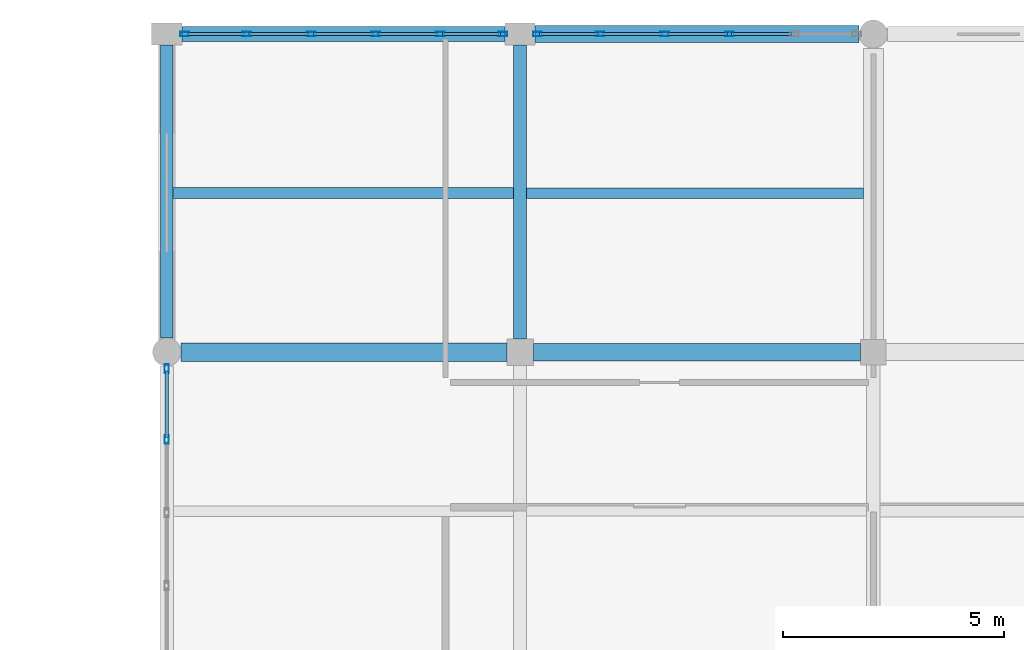
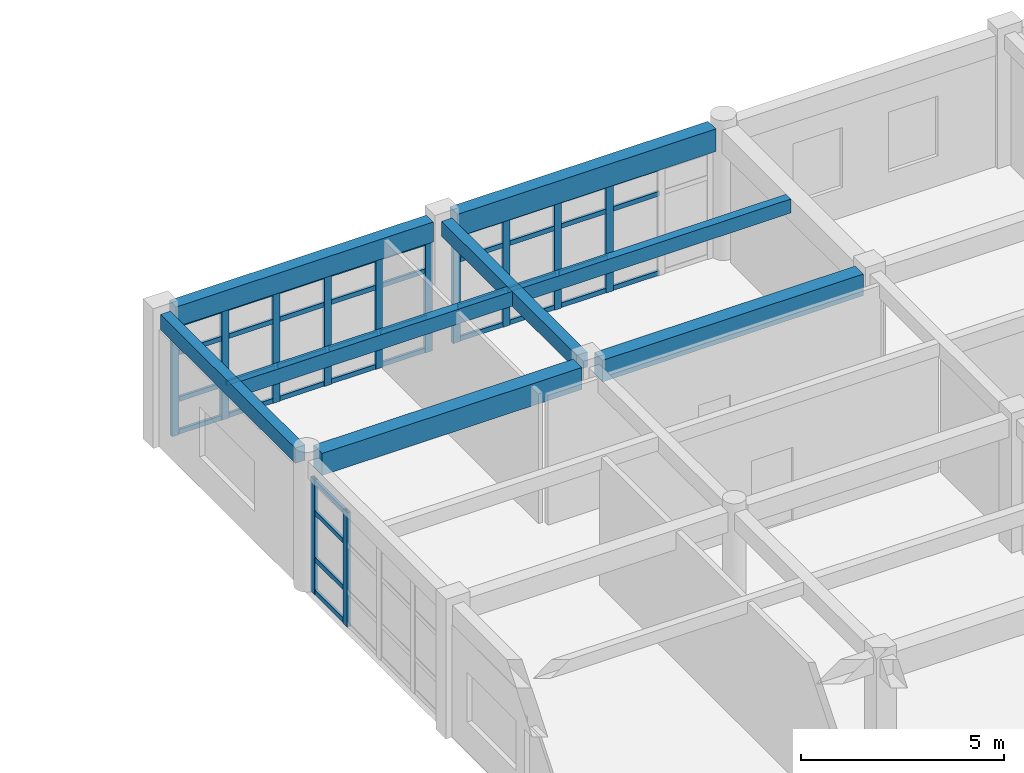
# One storey, part 58 of 121: 52 members, 8 beams, 3 elements without a shape of their own.
"""IFC4 building model written with IfcOpenShell, lengths in metres."""

from ifc_helpers import new_model, si_unit, direction, frame, origin, origin_2d, place, context, subcontext, project, spatial, rectangle, hollow_rectangle, extrude, material, material_profile, profile_set, type_object, element, aggregate, save


model = new_model("IFC4")

# Units and contexts
model_context = context("Model", 3, precision=1e-05, world=origin(), true_north=direction((0.0, 1.0)))
body_context = subcontext(model_context, "Body", "Model", "MODEL_VIEW")
ifc_project = project(units=[si_unit("LENGTHUNIT", "METRE"), si_unit("AREAUNIT", "SQUARE_METRE"), si_unit("VOLUMEUNIT", "CUBIC_METRE"), si_unit("PLANEANGLEUNIT", "RADIAN"), si_unit("MASSUNIT", "GRAM", prefix="KILO")], contexts=[model_context])

# Site, building, storey
site_placement = place(None, origin())
site = spatial("IfcSite", under=ifc_project, at=site_placement, CompositionType="ELEMENT")
building_placement = place(site_placement, origin())
building = spatial("IfcBuilding", under=site, at=building_placement, Name="Kharva Crest Polytechnic", CompositionType="ELEMENT")
storey_placement = place(building_placement, frame((0.0, 0.0, 13.199951171875)))
storey = spatial("IfcBuildingStorey", under=building, at=storey_placement, Name="L03", CompositionType="ELEMENT", Elevation=13.199951171875)

# Beams
ifc_material_1 = material(Name="Concrete C35/45", Category="concrete")
ifc_material_profile_1 = material_profile(ifc_material_1, rectangle(XDim=0.300048828125, YDim=0.449951171875, at=origin_2d()), Name="RECT 300 X 450")
ifc_profile_set_1 = profile_set([ifc_material_profile_1], Name="Concrete C35/45")
beam_type_1 = type_object("IfcBeamType", Name="BM-RC-300X450", PredefinedType="BEAM", material=ifc_profile_set_1)
beam_1_placement = place(storey_placement, frame((40.0, 115.10009765625, 3.735107421875), z_axis=(0.0, 1.0, 0.0), x_axis=(-1.0, 0.0, 0.0)))
element("IfcBeam", 1, at=beam_1_placement, inside=storey, type_object=beam_type_1, Name="L03 Girder 6/R-S", PredefinedType="BEAM", context=body_context, shape_type="SweptSolid", body=[
    extrude(rectangle(XDim=0.300048828125, YDim=0.449951171875, at=origin_2d()), origin(), (0.0, 0.0, 1.0), 6.64990234375),
])
ifc_material_profile_2 = material_profile(ifc_material_1, rectangle(XDim=0.39990234375, YDim=0.64990234375, at=origin_2d()), Name="RECT 400 X 650")
ifc_profile_set_2 = profile_set([ifc_material_profile_2], Name="Concrete C35/45")
beam_type_2 = type_object("IfcBeamType", Name="BM-RC-400X650", PredefinedType="BEAM", material=ifc_profile_set_2)
beam_2_placement = place(storey_placement, frame((40.300048828125, 114.800048828125, 3.635009765625), z_axis=(1.0, 0.0, 0.0), x_axis=(0.0, 1.0, 0.0)))
element("IfcBeam", 2, at=beam_2_placement, inside=storey, type_object=beam_type_2, Name="L03 Beam R/6-7", PredefinedType="BEAM", context=body_context, shape_type="SweptSolid", body=[
    extrude(rectangle(XDim=0.39990234375, YDim=0.64990234375, at=origin_2d()), origin(), (0.0, 0.0, 1.0), 7.409912109375),
])
ifc_material_profile_3 = material_profile(ifc_material_1, rectangle(XDim=0.419921875, YDim=0.659912109375, at=origin_2d()), Name="RECT 420 X 660")
ifc_profile_set_3 = profile_set([ifc_material_profile_3], Name="Concrete C35/45")
beam_type_3 = type_object("IfcBeamType", Name="BM-RC-420X660", PredefinedType="BEAM", material=ifc_profile_set_3)
beam_3_placement = place(storey_placement, frame((32.320068359375, 114.800048828125, 3.630126953125), z_axis=(1.0, 0.0, 0.0), x_axis=(0.0, 1.0, 0.0)))
element("IfcBeam", 3, at=beam_3_placement, inside=storey, type_object=beam_type_3, Name="L03 Beam R/5-6", PredefinedType="BEAM", context=body_context, shape_type="SweptSolid", body=[
    extrude(rectangle(XDim=0.419921875, YDim=0.659912109375, at=origin_2d()), origin(), (0.0, 0.0, 1.0), 7.3798828125),
])

# Curtain wall, members
ifc_material_2 = material(Name="Tempered insulated glass", Category="glass")
curtain_wall_type = type_object("IfcCurtainWallType", Name="CW-SYS-LIBRARY", PredefinedType="USERDEFINED", material=ifc_material_2)
curtain_wall_1_placement = place(storey_placement, origin())
curtain_wall_1 = element("IfcCurtainWall", 4, at=curtain_wall_1_placement, inside=storey, type_object=curtain_wall_type, Name="L03 Glazed Curtain Wall CW-162", ObjectType="CURTAIN WALL", PredefinedType="USERDEFINED")
ifc_material_3 = material(Name="Steel S355", Category="steel")
ifc_material_profile_4 = material_profile(ifc_material_3, hollow_rectangle(XDim=0.10009765625, YDim=0.199951171875, WallThickness=0.00634765625, at=origin_2d()), Name="RHS 200X100X6.3")
ifc_profile_set_4 = profile_set([ifc_material_profile_4], Name="Steel S355")
member_type_1 = type_object("IfcMemberType", Name="CWM-RHS200X100", PredefinedType="MULLION", material=ifc_profile_set_4)
member_1_placement = place(storey_placement, frame((44.742919921875, 122.0, 0.0), z_axis=(0.0, 0.0, 1.0), x_axis=(0.0, -1.0, 0.0)))
member_1 = element("IfcMember", 5, at=member_1_placement, type_object=member_type_1, Name="CW-162 mullion 3", PredefinedType="MULLION", context=body_context, shape_type="SweptSolid", body=[
    extrude(hollow_rectangle(XDim=0.10009765625, YDim=0.199951171875, WallThickness=0.00634765625, at=origin_2d()), origin(), (0.0, 0.0, 1.0), 3.280029296875),
])
member_2_placement = place(storey_placement, frame((43.277099609375, 122.0, 0.0), z_axis=(0.0, 0.0, 1.0), x_axis=(0.0, -1.0, 0.0)))
member_2 = element("IfcMember", 6, at=member_2_placement, type_object=member_type_1, Name="CW-162 mullion 4", PredefinedType="MULLION", context=body_context, shape_type="SweptSolid", body=[
    extrude(hollow_rectangle(XDim=0.10009765625, YDim=0.199951171875, WallThickness=0.00634765625, at=origin_2d()), origin(), (0.0, 0.0, 1.0), 3.280029296875),
])
member_3_placement = place(storey_placement, frame((41.81103515625, 122.0, 0.0), z_axis=(0.0, 0.0, 1.0), x_axis=(0.0, -1.0, 0.0)))
member_3 = element("IfcMember", 7, at=member_3_placement, type_object=member_type_1, Name="CW-162 mullion 5", PredefinedType="MULLION", context=body_context, shape_type="SweptSolid", body=[
    extrude(hollow_rectangle(XDim=0.10009765625, YDim=0.199951171875, WallThickness=0.00634765625, at=origin_2d()), origin(), (0.0, 0.0, 1.0), 3.280029296875),
])
member_4_placement = place(storey_placement, frame((40.39501953125, 122.0, 0.0), z_axis=(0.0, 0.0, 1.0), x_axis=(0.0, -1.0, 0.0)))
member_4 = element("IfcMember", 8, at=member_4_placement, type_object=member_type_1, Name="CW-162 mullion 6", PredefinedType="MULLION", context=body_context, shape_type="SweptSolid", body=[
    extrude(hollow_rectangle(XDim=0.10009765625, YDim=0.199951171875, WallThickness=0.00634765625, at=origin_2d()), origin(), (0.0, 0.0, 1.0), 3.280029296875),
])

curtain_wall_2_placement = place(storey_placement, origin())
curtain_wall_2 = element("IfcCurtainWall", 9, at=curtain_wall_2_placement, inside=storey, type_object=curtain_wall_type, Name="L03 Glazed Curtain Wall CW-163", ObjectType="CURTAIN WALL", PredefinedType="USERDEFINED")
member_5_placement = place(storey_placement, frame((39.60498046875, 122.0, 0.0), z_axis=(0.0, 0.0, 1.0), x_axis=(0.0, -1.0, 0.0)))
member_5 = element("IfcMember", 10, at=member_5_placement, type_object=member_type_1, Name="CW-163 mullion 1", PredefinedType="MULLION", context=body_context, shape_type="SweptSolid", body=[
    extrude(hollow_rectangle(XDim=0.10009765625, YDim=0.199951171875, WallThickness=0.00634765625, at=origin_2d()), origin(), (0.0, 0.0, 1.0), 3.360107421875),
])
member_6_placement = place(storey_placement, frame((38.195068359375, 122.0, 0.0), z_axis=(0.0, 0.0, 1.0), x_axis=(0.0, -1.0, 0.0)))
member_6 = element("IfcMember", 11, at=member_6_placement, type_object=member_type_1, Name="CW-163 mullion 2", PredefinedType="MULLION", context=body_context, shape_type="SweptSolid", body=[
    extrude(hollow_rectangle(XDim=0.10009765625, YDim=0.199951171875, WallThickness=0.00634765625, at=origin_2d()), origin(), (0.0, 0.0, 1.0), 3.360107421875),
])
member_7_placement = place(storey_placement, frame((36.735107421875, 122.0, 0.0), z_axis=(0.0, 0.0, 1.0), x_axis=(0.0, -1.0, 0.0)))
member_7 = element("IfcMember", 12, at=member_7_placement, type_object=member_type_1, Name="CW-163 mullion 3", PredefinedType="MULLION", context=body_context, shape_type="SweptSolid", body=[
    extrude(hollow_rectangle(XDim=0.10009765625, YDim=0.199951171875, WallThickness=0.00634765625, at=origin_2d()), origin(), (0.0, 0.0, 1.0), 3.360107421875),
])
member_8_placement = place(storey_placement, frame((35.27490234375, 122.0, 0.0), z_axis=(0.0, 0.0, 1.0), x_axis=(0.0, -1.0, 0.0)))
member_8 = element("IfcMember", 13, at=member_8_placement, type_object=member_type_1, Name="CW-163 mullion 4", PredefinedType="MULLION", context=body_context, shape_type="SweptSolid", body=[
    extrude(hollow_rectangle(XDim=0.10009765625, YDim=0.199951171875, WallThickness=0.00634765625, at=origin_2d()), origin(), (0.0, 0.0, 1.0), 3.360107421875),
])
member_9_placement = place(storey_placement, frame((33.81494140625, 122.0, 0.0), z_axis=(0.0, 0.0, 1.0), x_axis=(0.0, -1.0, 0.0)))
member_9 = element("IfcMember", 14, at=member_9_placement, type_object=member_type_1, Name="CW-163 mullion 5", PredefinedType="MULLION", context=body_context, shape_type="SweptSolid", body=[
    extrude(hollow_rectangle(XDim=0.10009765625, YDim=0.199951171875, WallThickness=0.00634765625, at=origin_2d()), origin(), (0.0, 0.0, 1.0), 3.360107421875),
])
member_10_placement = place(storey_placement, frame((32.405029296875, 122.0, 0.0), z_axis=(0.0, 0.0, 1.0), x_axis=(0.0, -1.0, 0.0)))
member_10 = element("IfcMember", 15, at=member_10_placement, type_object=member_type_1, Name="CW-163 mullion 6", PredefinedType="MULLION", context=body_context, shape_type="SweptSolid", body=[
    extrude(hollow_rectangle(XDim=0.10009765625, YDim=0.199951171875, WallThickness=0.00634765625, at=origin_2d()), origin(), (0.0, 0.0, 1.0), 3.360107421875),
])

curtain_wall_3_placement = place(storey_placement, origin())
curtain_wall_3 = element("IfcCurtainWall", 16, at=curtain_wall_3_placement, inside=storey, type_object=curtain_wall_type, Name="L03 Glazed Curtain Wall CW-164", ObjectType="CURTAIN WALL", PredefinedType="USERDEFINED")
member_11_placement = place(storey_placement, frame((32.0, 114.425048828125, 0.0), z_axis=(0.0, 0.0, 1.0), x_axis=(1.0, 0.0, 0.0)))
member_11 = element("IfcMember", 17, at=member_11_placement, type_object=member_type_1, Name="CW-164 mullion 1", PredefinedType="MULLION", context=body_context, shape_type="SweptSolid", body=[
    extrude(hollow_rectangle(XDim=0.10009765625, YDim=0.199951171875, WallThickness=0.00634765625, at=origin_2d()), origin(), (0.0, 0.0, 1.0), 3.43994140625),
])
member_12_placement = place(storey_placement, frame((32.0, 112.820068359375, 0.0), z_axis=(0.0, 0.0, 1.0), x_axis=(1.0, 0.0, 0.0)))
member_12 = element("IfcMember", 18, at=member_12_placement, type_object=member_type_1, Name="CW-164 mullion 2", PredefinedType="MULLION", context=body_context, shape_type="SweptSolid", body=[
    extrude(hollow_rectangle(XDim=0.10009765625, YDim=0.199951171875, WallThickness=0.00634765625, at=origin_2d()), origin(), (0.0, 0.0, 1.0), 3.43994140625),
])

# Member
ifc_material_profile_5 = material_profile(ifc_material_3, hollow_rectangle(XDim=0.070068359375, YDim=0.139892578125, WallThickness=0.00390625, at=origin_2d()), Name="RHS 140X70X4.0")
ifc_profile_set_5 = profile_set([ifc_material_profile_5], Name="Steel S355")
member_type_2 = type_object("IfcMemberType", Name="CWT-RHS140X70", PredefinedType="USERDEFINED", material=ifc_profile_set_5)
member_13_placement = place(storey_placement, frame((46.158935546875, 122.0, 0.070068359375), z_axis=(-1.0, 0.0, 0.0), x_axis=(0.0, -1.0, 0.0)))
member_13 = element("IfcMember", 19, at=member_13_placement, type_object=member_type_2, Name="CW-162 transom 2.1", ObjectType="TRANSOM", PredefinedType="USERDEFINED", context=body_context, shape_type="SweptSolid", body=[
    extrude(hollow_rectangle(XDim=0.070068359375, YDim=0.139892578125, WallThickness=0.00390625, at=origin_2d()), origin(), (0.0, 0.0, 1.0), 1.365966796875),
])

member_14_placement = place(storey_placement, frame((46.158935546875, 122.0, 1.050048828125), z_axis=(-1.0, 0.0, 0.0), x_axis=(0.0, -1.0, 0.0)))
member_14 = element("IfcMember", 20, at=member_14_placement, type_object=member_type_2, Name="CW-162 transom 2.2", ObjectType="TRANSOM", PredefinedType="USERDEFINED", context=body_context, shape_type="SweptSolid", body=[
    extrude(hollow_rectangle(XDim=0.070068359375, YDim=0.139892578125, WallThickness=0.00390625, at=origin_2d()), origin(), (0.0, 0.0, 1.0), 1.365966796875),
])

member_15_placement = place(storey_placement, frame((46.158935546875, 122.0, 2.449951171875), z_axis=(-1.0, 0.0, 0.0), x_axis=(0.0, -1.0, 0.0)))
member_15 = element("IfcMember", 21, at=member_15_placement, type_object=member_type_2, Name="CW-162 transom 2.3", ObjectType="TRANSOM", PredefinedType="USERDEFINED", context=body_context, shape_type="SweptSolid", body=[
    extrude(hollow_rectangle(XDim=0.070068359375, YDim=0.139892578125, WallThickness=0.00390625, at=origin_2d()), origin(), (0.0, 0.0, 1.0), 1.365966796875),
])

member_16_placement = place(storey_placement, frame((46.158935546875, 122.0, 3.2099609375), z_axis=(-1.0, 0.0, 0.0), x_axis=(0.0, -1.0, 0.0)))
member_16 = element("IfcMember", 22, at=member_16_placement, type_object=member_type_2, Name="CW-162 transom 2.4", ObjectType="TRANSOM", PredefinedType="USERDEFINED", context=body_context, shape_type="SweptSolid", body=[
    extrude(hollow_rectangle(XDim=0.070068359375, YDim=0.139892578125, WallThickness=0.00390625, at=origin_2d()), origin(), (0.0, 0.0, 1.0), 1.365966796875),
])

member_17_placement = place(storey_placement, frame((44.693115234375, 122.0, 0.070068359375), z_axis=(-1.0, 0.0, 0.0), x_axis=(0.0, -1.0, 0.0)))
member_17 = element("IfcMember", 23, at=member_17_placement, type_object=member_type_2, Name="CW-162 transom 3.1", ObjectType="TRANSOM", PredefinedType="USERDEFINED", context=body_context, shape_type="SweptSolid", body=[
    extrude(hollow_rectangle(XDim=0.070068359375, YDim=0.139892578125, WallThickness=0.00390625, at=origin_2d()), origin(), (0.0, 0.0, 1.0), 1.3662109375),
])

member_18_placement = place(storey_placement, frame((44.693115234375, 122.0, 1.050048828125), z_axis=(-1.0, 0.0, 0.0), x_axis=(0.0, -1.0, 0.0)))
member_18 = element("IfcMember", 24, at=member_18_placement, type_object=member_type_2, Name="CW-162 transom 3.2", ObjectType="TRANSOM", PredefinedType="USERDEFINED", context=body_context, shape_type="SweptSolid", body=[
    extrude(hollow_rectangle(XDim=0.070068359375, YDim=0.139892578125, WallThickness=0.00390625, at=origin_2d()), origin(), (0.0, 0.0, 1.0), 1.3662109375),
])

member_19_placement = place(storey_placement, frame((44.693115234375, 122.0, 2.449951171875), z_axis=(-1.0, 0.0, 0.0), x_axis=(0.0, -1.0, 0.0)))
member_19 = element("IfcMember", 25, at=member_19_placement, type_object=member_type_2, Name="CW-162 transom 3.3", ObjectType="TRANSOM", PredefinedType="USERDEFINED", context=body_context, shape_type="SweptSolid", body=[
    extrude(hollow_rectangle(XDim=0.070068359375, YDim=0.139892578125, WallThickness=0.00390625, at=origin_2d()), origin(), (0.0, 0.0, 1.0), 1.3662109375),
])

member_20_placement = place(storey_placement, frame((44.693115234375, 122.0, 3.2099609375), z_axis=(-1.0, 0.0, 0.0), x_axis=(0.0, -1.0, 0.0)))
member_20 = element("IfcMember", 26, at=member_20_placement, type_object=member_type_2, Name="CW-162 transom 3.4", ObjectType="TRANSOM", PredefinedType="USERDEFINED", context=body_context, shape_type="SweptSolid", body=[
    extrude(hollow_rectangle(XDim=0.070068359375, YDim=0.139892578125, WallThickness=0.00390625, at=origin_2d()), origin(), (0.0, 0.0, 1.0), 1.3662109375),
])

member_21_placement = place(storey_placement, frame((43.22705078125, 122.0, 0.070068359375), z_axis=(-1.0, 0.0, 0.0), x_axis=(0.0, -1.0, 0.0)))
member_21 = element("IfcMember", 27, at=member_21_placement, type_object=member_type_2, Name="CW-162 transom 4.1", ObjectType="TRANSOM", PredefinedType="USERDEFINED", context=body_context, shape_type="SweptSolid", body=[
    extrude(hollow_rectangle(XDim=0.070068359375, YDim=0.139892578125, WallThickness=0.00390625, at=origin_2d()), origin(), (0.0, 0.0, 1.0), 1.365966796875),
])

member_22_placement = place(storey_placement, frame((43.22705078125, 122.0, 1.050048828125), z_axis=(-1.0, 0.0, 0.0), x_axis=(0.0, -1.0, 0.0)))
member_22 = element("IfcMember", 28, at=member_22_placement, type_object=member_type_2, Name="CW-162 transom 4.2", ObjectType="TRANSOM", PredefinedType="USERDEFINED", context=body_context, shape_type="SweptSolid", body=[
    extrude(hollow_rectangle(XDim=0.070068359375, YDim=0.139892578125, WallThickness=0.00390625, at=origin_2d()), origin(), (0.0, 0.0, 1.0), 1.365966796875),
])

member_23_placement = place(storey_placement, frame((43.22705078125, 122.0, 2.449951171875), z_axis=(-1.0, 0.0, 0.0), x_axis=(0.0, -1.0, 0.0)))
member_23 = element("IfcMember", 29, at=member_23_placement, type_object=member_type_2, Name="CW-162 transom 4.3", ObjectType="TRANSOM", PredefinedType="USERDEFINED", context=body_context, shape_type="SweptSolid", body=[
    extrude(hollow_rectangle(XDim=0.070068359375, YDim=0.139892578125, WallThickness=0.00390625, at=origin_2d()), origin(), (0.0, 0.0, 1.0), 1.365966796875),
])

member_24_placement = place(storey_placement, frame((43.22705078125, 122.0, 3.2099609375), z_axis=(-1.0, 0.0, 0.0), x_axis=(0.0, -1.0, 0.0)))
member_24 = element("IfcMember", 30, at=member_24_placement, type_object=member_type_2, Name="CW-162 transom 4.4", ObjectType="TRANSOM", PredefinedType="USERDEFINED", context=body_context, shape_type="SweptSolid", body=[
    extrude(hollow_rectangle(XDim=0.070068359375, YDim=0.139892578125, WallThickness=0.00390625, at=origin_2d()), origin(), (0.0, 0.0, 1.0), 1.365966796875),
])

member_25_placement = place(storey_placement, frame((41.760986328125, 122.0, 0.070068359375), z_axis=(-1.0, 0.0, 0.0), x_axis=(0.0, -1.0, 0.0)))
member_25 = element("IfcMember", 31, at=member_25_placement, type_object=member_type_2, Name="CW-162 transom 5.1", ObjectType="TRANSOM", PredefinedType="USERDEFINED", context=body_context, shape_type="SweptSolid", body=[
    extrude(hollow_rectangle(XDim=0.070068359375, YDim=0.139892578125, WallThickness=0.00390625, at=origin_2d()), origin(), (0.0, 0.0, 1.0), 1.31591796875),
])

member_26_placement = place(storey_placement, frame((41.760986328125, 122.0, 1.050048828125), z_axis=(-1.0, 0.0, 0.0), x_axis=(0.0, -1.0, 0.0)))
member_26 = element("IfcMember", 32, at=member_26_placement, type_object=member_type_2, Name="CW-162 transom 5.2", ObjectType="TRANSOM", PredefinedType="USERDEFINED", context=body_context, shape_type="SweptSolid", body=[
    extrude(hollow_rectangle(XDim=0.070068359375, YDim=0.139892578125, WallThickness=0.00390625, at=origin_2d()), origin(), (0.0, 0.0, 1.0), 1.31591796875),
])

member_27_placement = place(storey_placement, frame((41.760986328125, 122.0, 2.449951171875), z_axis=(-1.0, 0.0, 0.0), x_axis=(0.0, -1.0, 0.0)))
member_27 = element("IfcMember", 33, at=member_27_placement, type_object=member_type_2, Name="CW-162 transom 5.3", ObjectType="TRANSOM", PredefinedType="USERDEFINED", context=body_context, shape_type="SweptSolid", body=[
    extrude(hollow_rectangle(XDim=0.070068359375, YDim=0.139892578125, WallThickness=0.00390625, at=origin_2d()), origin(), (0.0, 0.0, 1.0), 1.31591796875),
])

member_28_placement = place(storey_placement, frame((41.760986328125, 122.0, 3.2099609375), z_axis=(-1.0, 0.0, 0.0), x_axis=(0.0, -1.0, 0.0)))
member_28 = element("IfcMember", 34, at=member_28_placement, type_object=member_type_2, Name="CW-162 transom 5.4", ObjectType="TRANSOM", PredefinedType="USERDEFINED", context=body_context, shape_type="SweptSolid", body=[
    extrude(hollow_rectangle(XDim=0.070068359375, YDim=0.139892578125, WallThickness=0.00390625, at=origin_2d()), origin(), (0.0, 0.0, 1.0), 1.31591796875),
])

aggregate(curtain_wall_1, [member_1, member_2, member_3, member_4, member_13, member_14, member_15, member_16, member_17, member_18, member_19, member_20, member_21, member_22, member_23, member_24, member_25, member_26, member_27, member_28])

member_29_placement = place(storey_placement, frame((39.554931640625, 122.0, 0.070068359375), z_axis=(-1.0, 0.0, 0.0), x_axis=(0.0, -1.0, 0.0)))
member_29 = element("IfcMember", 35, at=member_29_placement, type_object=member_type_2, Name="CW-163 transom 1.1", ObjectType="TRANSOM", PredefinedType="USERDEFINED", context=body_context, shape_type="SweptSolid", body=[
    extrude(hollow_rectangle(XDim=0.070068359375, YDim=0.139892578125, WallThickness=0.00390625, at=origin_2d()), origin(), (0.0, 0.0, 1.0), 1.309814453125),
])

member_30_placement = place(storey_placement, frame((39.554931640625, 122.0, 1.050048828125), z_axis=(-1.0, 0.0, 0.0), x_axis=(0.0, -1.0, 0.0)))
member_30 = element("IfcMember", 36, at=member_30_placement, type_object=member_type_2, Name="CW-163 transom 1.2", ObjectType="TRANSOM", PredefinedType="USERDEFINED", context=body_context, shape_type="SweptSolid", body=[
    extrude(hollow_rectangle(XDim=0.070068359375, YDim=0.139892578125, WallThickness=0.00390625, at=origin_2d()), origin(), (0.0, 0.0, 1.0), 1.309814453125),
])

member_31_placement = place(storey_placement, frame((39.554931640625, 122.0, 2.449951171875), z_axis=(-1.0, 0.0, 0.0), x_axis=(0.0, -1.0, 0.0)))
member_31 = element("IfcMember", 37, at=member_31_placement, type_object=member_type_2, Name="CW-163 transom 1.3", ObjectType="TRANSOM", PredefinedType="USERDEFINED", context=body_context, shape_type="SweptSolid", body=[
    extrude(hollow_rectangle(XDim=0.070068359375, YDim=0.139892578125, WallThickness=0.00390625, at=origin_2d()), origin(), (0.0, 0.0, 1.0), 1.309814453125),
])

member_32_placement = place(storey_placement, frame((39.554931640625, 122.0, 3.2900390625), z_axis=(-1.0, 0.0, 0.0), x_axis=(0.0, -1.0, 0.0)))
member_32 = element("IfcMember", 38, at=member_32_placement, type_object=member_type_2, Name="CW-163 transom 1.4", ObjectType="TRANSOM", PredefinedType="USERDEFINED", context=body_context, shape_type="SweptSolid", body=[
    extrude(hollow_rectangle(XDim=0.070068359375, YDim=0.139892578125, WallThickness=0.00390625, at=origin_2d()), origin(), (0.0, 0.0, 1.0), 1.309814453125),
])

member_33_placement = place(storey_placement, frame((38.14501953125, 122.0, 0.070068359375), z_axis=(-1.0, 0.0, 0.0), x_axis=(0.0, -1.0, 0.0)))
member_33 = element("IfcMember", 39, at=member_33_placement, type_object=member_type_2, Name="CW-163 transom 2.1", ObjectType="TRANSOM", PredefinedType="USERDEFINED", context=body_context, shape_type="SweptSolid", body=[
    extrude(hollow_rectangle(XDim=0.070068359375, YDim=0.139892578125, WallThickness=0.00390625, at=origin_2d()), origin(), (0.0, 0.0, 1.0), 1.360107421875),
])

member_34_placement = place(storey_placement, frame((38.14501953125, 122.0, 1.050048828125), z_axis=(-1.0, 0.0, 0.0), x_axis=(0.0, -1.0, 0.0)))
member_34 = element("IfcMember", 40, at=member_34_placement, type_object=member_type_2, Name="CW-163 transom 2.2", ObjectType="TRANSOM", PredefinedType="USERDEFINED", context=body_context, shape_type="SweptSolid", body=[
    extrude(hollow_rectangle(XDim=0.070068359375, YDim=0.139892578125, WallThickness=0.00390625, at=origin_2d()), origin(), (0.0, 0.0, 1.0), 1.360107421875),
])

member_35_placement = place(storey_placement, frame((38.14501953125, 122.0, 2.449951171875), z_axis=(-1.0, 0.0, 0.0), x_axis=(0.0, -1.0, 0.0)))
member_35 = element("IfcMember", 41, at=member_35_placement, type_object=member_type_2, Name="CW-163 transom 2.3", ObjectType="TRANSOM", PredefinedType="USERDEFINED", context=body_context, shape_type="SweptSolid", body=[
    extrude(hollow_rectangle(XDim=0.070068359375, YDim=0.139892578125, WallThickness=0.00390625, at=origin_2d()), origin(), (0.0, 0.0, 1.0), 1.360107421875),
])

member_36_placement = place(storey_placement, frame((38.14501953125, 122.0, 3.2900390625), z_axis=(-1.0, 0.0, 0.0), x_axis=(0.0, -1.0, 0.0)))
member_36 = element("IfcMember", 42, at=member_36_placement, type_object=member_type_2, Name="CW-163 transom 2.4", ObjectType="TRANSOM", PredefinedType="USERDEFINED", context=body_context, shape_type="SweptSolid", body=[
    extrude(hollow_rectangle(XDim=0.070068359375, YDim=0.139892578125, WallThickness=0.00390625, at=origin_2d()), origin(), (0.0, 0.0, 1.0), 1.360107421875),
])

member_37_placement = place(storey_placement, frame((36.68505859375, 122.0, 0.070068359375), z_axis=(-1.0, 0.0, 0.0), x_axis=(0.0, -1.0, 0.0)))
member_37 = element("IfcMember", 43, at=member_37_placement, type_object=member_type_2, Name="CW-163 transom 3.1", ObjectType="TRANSOM", PredefinedType="USERDEFINED", context=body_context, shape_type="SweptSolid", body=[
    extrude(hollow_rectangle(XDim=0.070068359375, YDim=0.139892578125, WallThickness=0.00390625, at=origin_2d()), origin(), (0.0, 0.0, 1.0), 1.360107421875),
])

member_38_placement = place(storey_placement, frame((36.68505859375, 122.0, 1.050048828125), z_axis=(-1.0, 0.0, 0.0), x_axis=(0.0, -1.0, 0.0)))
member_38 = element("IfcMember", 44, at=member_38_placement, type_object=member_type_2, Name="CW-163 transom 3.2", ObjectType="TRANSOM", PredefinedType="USERDEFINED", context=body_context, shape_type="SweptSolid", body=[
    extrude(hollow_rectangle(XDim=0.070068359375, YDim=0.139892578125, WallThickness=0.00390625, at=origin_2d()), origin(), (0.0, 0.0, 1.0), 1.360107421875),
])

member_39_placement = place(storey_placement, frame((36.68505859375, 122.0, 2.449951171875), z_axis=(-1.0, 0.0, 0.0), x_axis=(0.0, -1.0, 0.0)))
member_39 = element("IfcMember", 45, at=member_39_placement, type_object=member_type_2, Name="CW-163 transom 3.3", ObjectType="TRANSOM", PredefinedType="USERDEFINED", context=body_context, shape_type="SweptSolid", body=[
    extrude(hollow_rectangle(XDim=0.070068359375, YDim=0.139892578125, WallThickness=0.00390625, at=origin_2d()), origin(), (0.0, 0.0, 1.0), 1.360107421875),
])

member_40_placement = place(storey_placement, frame((36.68505859375, 122.0, 3.2900390625), z_axis=(-1.0, 0.0, 0.0), x_axis=(0.0, -1.0, 0.0)))
member_40 = element("IfcMember", 46, at=member_40_placement, type_object=member_type_2, Name="CW-163 transom 3.4", ObjectType="TRANSOM", PredefinedType="USERDEFINED", context=body_context, shape_type="SweptSolid", body=[
    extrude(hollow_rectangle(XDim=0.070068359375, YDim=0.139892578125, WallThickness=0.00390625, at=origin_2d()), origin(), (0.0, 0.0, 1.0), 1.360107421875),
])

member_41_placement = place(storey_placement, frame((35.22509765625, 122.0, 0.070068359375), z_axis=(-1.0, 0.0, 0.0), x_axis=(0.0, -1.0, 0.0)))
member_41 = element("IfcMember", 47, at=member_41_placement, type_object=member_type_2, Name="CW-163 transom 4.1", ObjectType="TRANSOM", PredefinedType="USERDEFINED", context=body_context, shape_type="SweptSolid", body=[
    extrude(hollow_rectangle(XDim=0.070068359375, YDim=0.139892578125, WallThickness=0.00390625, at=origin_2d()), origin(), (0.0, 0.0, 1.0), 1.360107421875),
])

member_42_placement = place(storey_placement, frame((35.22509765625, 122.0, 1.050048828125), z_axis=(-1.0, 0.0, 0.0), x_axis=(0.0, -1.0, 0.0)))
member_42 = element("IfcMember", 48, at=member_42_placement, type_object=member_type_2, Name="CW-163 transom 4.2", ObjectType="TRANSOM", PredefinedType="USERDEFINED", context=body_context, shape_type="SweptSolid", body=[
    extrude(hollow_rectangle(XDim=0.070068359375, YDim=0.139892578125, WallThickness=0.00390625, at=origin_2d()), origin(), (0.0, 0.0, 1.0), 1.360107421875),
])

member_43_placement = place(storey_placement, frame((35.22509765625, 122.0, 2.449951171875), z_axis=(-1.0, 0.0, 0.0), x_axis=(0.0, -1.0, 0.0)))
member_43 = element("IfcMember", 49, at=member_43_placement, type_object=member_type_2, Name="CW-163 transom 4.3", ObjectType="TRANSOM", PredefinedType="USERDEFINED", context=body_context, shape_type="SweptSolid", body=[
    extrude(hollow_rectangle(XDim=0.070068359375, YDim=0.139892578125, WallThickness=0.00390625, at=origin_2d()), origin(), (0.0, 0.0, 1.0), 1.360107421875),
])

member_44_placement = place(storey_placement, frame((35.22509765625, 122.0, 3.2900390625), z_axis=(-1.0, 0.0, 0.0), x_axis=(0.0, -1.0, 0.0)))
member_44 = element("IfcMember", 50, at=member_44_placement, type_object=member_type_2, Name="CW-163 transom 4.4", ObjectType="TRANSOM", PredefinedType="USERDEFINED", context=body_context, shape_type="SweptSolid", body=[
    extrude(hollow_rectangle(XDim=0.070068359375, YDim=0.139892578125, WallThickness=0.00390625, at=origin_2d()), origin(), (0.0, 0.0, 1.0), 1.360107421875),
])

member_45_placement = place(storey_placement, frame((33.764892578125, 122.0, 0.070068359375), z_axis=(-1.0, 0.0, 0.0), x_axis=(0.0, -1.0, 0.0)))
member_45 = element("IfcMember", 51, at=member_45_placement, type_object=member_type_2, Name="CW-163 transom 5.1", ObjectType="TRANSOM", PredefinedType="USERDEFINED", context=body_context, shape_type="SweptSolid", body=[
    extrude(hollow_rectangle(XDim=0.070068359375, YDim=0.139892578125, WallThickness=0.00390625, at=origin_2d()), origin(), (0.0, 0.0, 1.0), 1.309814453125),
])

member_46_placement = place(storey_placement, frame((33.764892578125, 122.0, 1.050048828125), z_axis=(-1.0, 0.0, 0.0), x_axis=(0.0, -1.0, 0.0)))
member_46 = element("IfcMember", 52, at=member_46_placement, type_object=member_type_2, Name="CW-163 transom 5.2", ObjectType="TRANSOM", PredefinedType="USERDEFINED", context=body_context, shape_type="SweptSolid", body=[
    extrude(hollow_rectangle(XDim=0.070068359375, YDim=0.139892578125, WallThickness=0.00390625, at=origin_2d()), origin(), (0.0, 0.0, 1.0), 1.309814453125),
])

member_47_placement = place(storey_placement, frame((33.764892578125, 122.0, 2.449951171875), z_axis=(-1.0, 0.0, 0.0), x_axis=(0.0, -1.0, 0.0)))
member_47 = element("IfcMember", 53, at=member_47_placement, type_object=member_type_2, Name="CW-163 transom 5.3", ObjectType="TRANSOM", PredefinedType="USERDEFINED", context=body_context, shape_type="SweptSolid", body=[
    extrude(hollow_rectangle(XDim=0.070068359375, YDim=0.139892578125, WallThickness=0.00390625, at=origin_2d()), origin(), (0.0, 0.0, 1.0), 1.309814453125),
])

member_48_placement = place(storey_placement, frame((33.764892578125, 122.0, 3.2900390625), z_axis=(-1.0, 0.0, 0.0), x_axis=(0.0, -1.0, 0.0)))
member_48 = element("IfcMember", 54, at=member_48_placement, type_object=member_type_2, Name="CW-163 transom 5.4", ObjectType="TRANSOM", PredefinedType="USERDEFINED", context=body_context, shape_type="SweptSolid", body=[
    extrude(hollow_rectangle(XDim=0.070068359375, YDim=0.139892578125, WallThickness=0.00390625, at=origin_2d()), origin(), (0.0, 0.0, 1.0), 1.309814453125),
])

aggregate(curtain_wall_2, [member_5, member_6, member_7, member_8, member_9, member_10, member_29, member_30, member_31, member_32, member_33, member_34, member_35, member_36, member_37, member_38, member_39, member_40, member_41, member_42, member_43, member_44, member_45, member_46, member_47, member_48])

member_49_placement = place(storey_placement, frame((32.0, 114.375, 0.070068359375), z_axis=(0.0, -1.0, 0.0), x_axis=(1.0, 0.0, 0.0)))
member_49 = element("IfcMember", 55, at=member_49_placement, type_object=member_type_2, Name="CW-164 transom 1.1", ObjectType="TRANSOM", PredefinedType="USERDEFINED", context=body_context, shape_type="SweptSolid", body=[
    extrude(hollow_rectangle(XDim=0.070068359375, YDim=0.139892578125, WallThickness=0.00390625, at=origin_2d()), origin(), (0.0, 0.0, 1.0), 1.5048828125),
])

member_50_placement = place(storey_placement, frame((32.0, 114.375, 1.050048828125), z_axis=(0.0, -1.0, 0.0), x_axis=(1.0, 0.0, 0.0)))
member_50 = element("IfcMember", 56, at=member_50_placement, type_object=member_type_2, Name="CW-164 transom 1.2", ObjectType="TRANSOM", PredefinedType="USERDEFINED", context=body_context, shape_type="SweptSolid", body=[
    extrude(hollow_rectangle(XDim=0.070068359375, YDim=0.139892578125, WallThickness=0.00390625, at=origin_2d()), origin(), (0.0, 0.0, 1.0), 1.5048828125),
])

member_51_placement = place(storey_placement, frame((32.0, 114.375, 2.449951171875), z_axis=(0.0, -1.0, 0.0), x_axis=(1.0, 0.0, 0.0)))
member_51 = element("IfcMember", 57, at=member_51_placement, type_object=member_type_2, Name="CW-164 transom 1.3", ObjectType="TRANSOM", PredefinedType="USERDEFINED", context=body_context, shape_type="SweptSolid", body=[
    extrude(hollow_rectangle(XDim=0.070068359375, YDim=0.139892578125, WallThickness=0.00390625, at=origin_2d()), origin(), (0.0, 0.0, 1.0), 1.5048828125),
])

member_52_placement = place(storey_placement, frame((32.0, 114.375, 3.3701171875), z_axis=(0.0, -1.0, 0.0), x_axis=(1.0, 0.0, 0.0)))
member_52 = element("IfcMember", 58, at=member_52_placement, type_object=member_type_2, Name="CW-164 transom 1.4", ObjectType="TRANSOM", PredefinedType="USERDEFINED", context=body_context, shape_type="SweptSolid", body=[
    extrude(hollow_rectangle(XDim=0.070068359375, YDim=0.139892578125, WallThickness=0.00390625, at=origin_2d()), origin(), (0.0, 0.0, 1.0), 1.5048828125),
])

aggregate(curtain_wall_3, [member_11, member_12, member_49, member_50, member_51, member_52])

# Beams
ifc_material_profile_6 = material_profile(ifc_material_1, rectangle(XDim=0.239990234375, YDim=0.419921875, at=origin_2d()), Name="RECT 240 X 420")
ifc_profile_set_6 = profile_set([ifc_material_profile_6], Name="Concrete C35/45")
beam_type_4 = type_object("IfcBeamType", Name="JS-RC-240X420", PredefinedType="JOIST", material=ifc_profile_set_6)
beam_4_placement = place(storey_placement, frame((40.14990234375, 118.39990234375, 3.75), z_axis=(1.0, 0.0, 0.0), x_axis=(0.0, 1.0, 0.0)))
element("IfcBeam", 59, at=beam_4_placement, inside=storey, type_object=beam_type_4, Name="L03 Floor Joist 54", PredefinedType="JOIST", context=body_context, shape_type="SweptSolid", body=[
    extrude(rectangle(XDim=0.239990234375, YDim=0.419921875, at=origin_2d()), origin(), (0.0, 0.0, 1.0), 7.625),
])
ifc_material_profile_7 = material_profile(ifc_material_1, rectangle(XDim=0.25, YDim=0.43994140625, at=origin_2d()), Name="RECT 250 X 440")
ifc_profile_set_7 = profile_set([ifc_material_profile_7], Name="Concrete C35/45")
beam_type_5 = type_object("IfcBeamType", Name="JS-RC-250X440", PredefinedType="JOIST", material=ifc_profile_set_7)
beam_5_placement = place(storey_placement, frame((32.139892578125, 118.39990234375, 3.739990234375), z_axis=(1.0, 0.0, 0.0), x_axis=(0.0, 1.0, 0.0)))
element("IfcBeam", 60, at=beam_5_placement, inside=storey, type_object=beam_type_5, Name="L03 Floor Joist 53", PredefinedType="JOIST", context=body_context, shape_type="SweptSolid", body=[
    extrude(rectangle(XDim=0.25, YDim=0.43994140625, at=origin_2d()), origin(), (0.0, 0.0, 1.0), 7.710205078125),
])
ifc_material_profile_8 = material_profile(ifc_material_1, rectangle(XDim=0.280029296875, YDim=0.4599609375, at=origin_2d()), Name="RECT 280 X 460")
ifc_profile_set_8 = profile_set([ifc_material_profile_8], Name="Concrete C35/45")
beam_type_6 = type_object("IfcBeamType", Name="SP-RC-280X460", PredefinedType="SPANDREL", material=ifc_profile_set_8)
beam_6_placement = place(storey_placement, frame((32.0, 115.1201171875, 3.72998046875), z_axis=(0.0, 1.0, 0.0), x_axis=(-1.0, 0.0, 0.0)))
element("IfcBeam", 61, at=beam_6_placement, inside=storey, type_object=beam_type_6, Name="L03 Girder 5/R-S", PredefinedType="SPANDREL", context=body_context, shape_type="SweptSolid", body=[
    extrude(rectangle(XDim=0.280029296875, YDim=0.4599609375, at=origin_2d()), origin(), (0.0, 0.0, 1.0), 6.6298828125),
])
ifc_material_profile_9 = material_profile(ifc_material_1, rectangle(XDim=0.340087890625, YDim=0.60009765625, at=origin_2d()), Name="RECT 340 X 600")
ifc_profile_set_9 = profile_set([ifc_material_profile_9], Name="Concrete C35/45")
beam_type_7 = type_object("IfcBeamType", Name="SP-RC-340X600", PredefinedType="SPANDREL", material=ifc_profile_set_9)
beam_7_placement = place(storey_placement, frame((32.35009765625, 122.0, 3.66015625), z_axis=(1.0, 0.0, 0.0), x_axis=(0.0, 1.0, 0.0)))
element("IfcBeam", 62, at=beam_7_placement, inside=storey, type_object=beam_type_7, Name="L03 Beam S/5-6", PredefinedType="SPANDREL", context=body_context, shape_type="SweptSolid", body=[
    extrude(rectangle(XDim=0.340087890625, YDim=0.60009765625, at=origin_2d()), origin(), (0.0, 0.0, 1.0), 7.309814453125),
])
ifc_material_profile_10 = material_profile(ifc_material_1, rectangle(XDim=0.3798828125, YDim=0.679931640625, at=origin_2d()), Name="RECT 380 X 680")
ifc_profile_set_10 = profile_set([ifc_material_profile_10], Name="Concrete C35/45")
beam_type_8 = type_object("IfcBeamType", Name="SP-RC-380X680", PredefinedType="SPANDREL", material=ifc_profile_set_10)
beam_8_placement = place(storey_placement, frame((40.340087890625, 122.0, 3.6201171875), z_axis=(1.0, 0.0, 0.0), x_axis=(0.0, 1.0, 0.0)))
element("IfcBeam", 63, at=beam_8_placement, inside=storey, type_object=beam_type_8, Name="L03 Beam S/6-7", PredefinedType="SPANDREL", context=body_context, shape_type="SweptSolid", body=[
    extrude(rectangle(XDim=0.3798828125, YDim=0.679931640625, at=origin_2d()), origin(), (0.0, 0.0, 1.0), 7.33984375),
])

save(model, "model.ifc")
